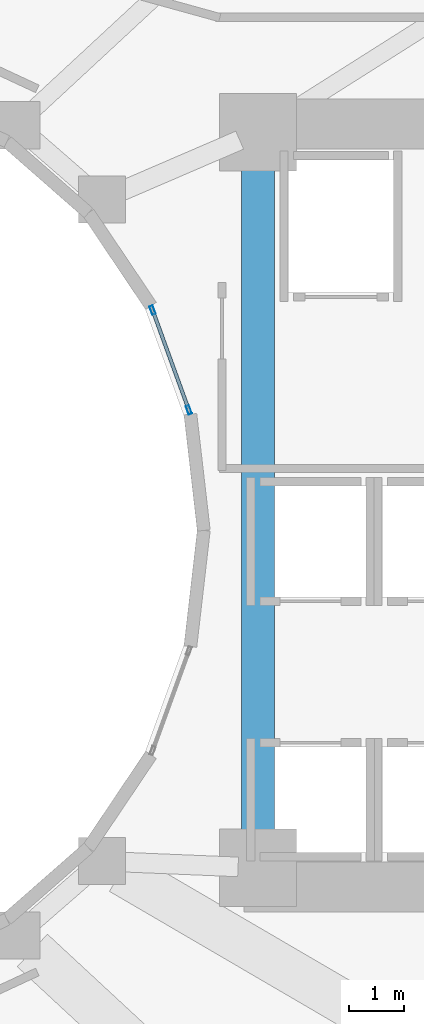
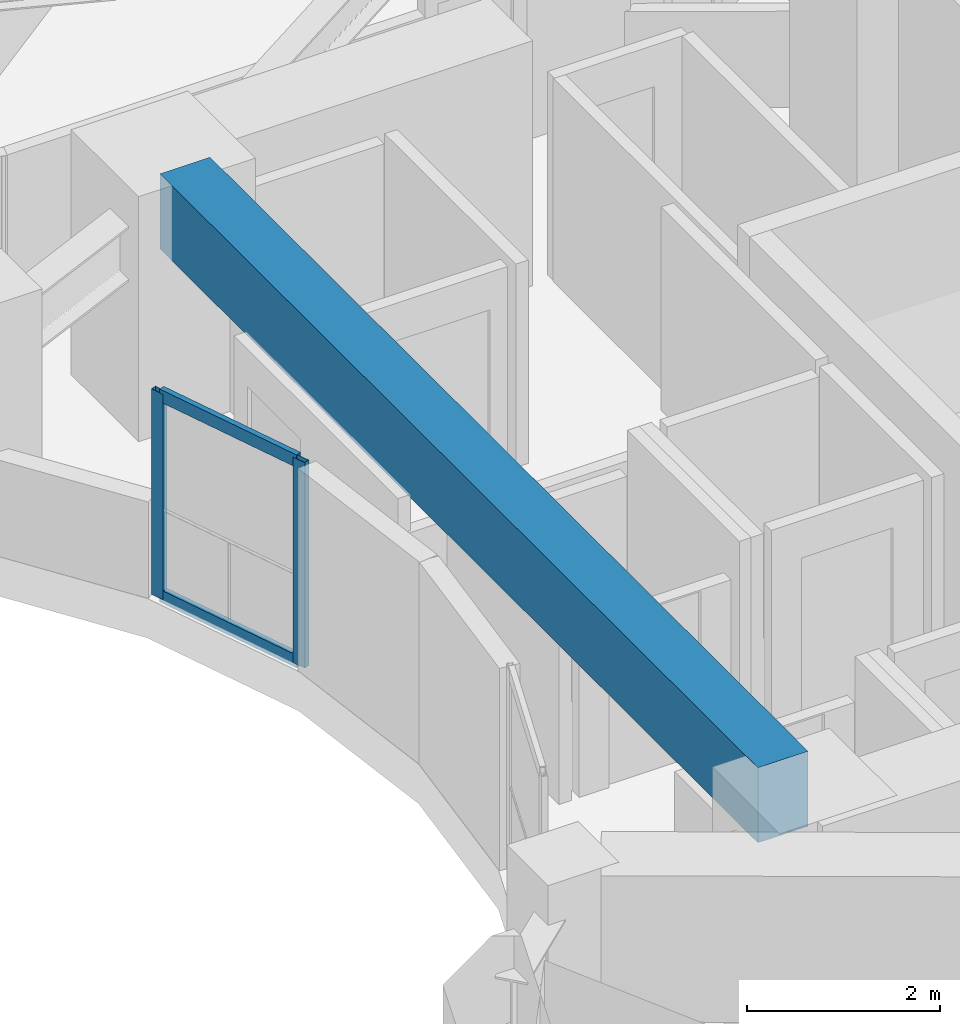
# One storey, part 6 of 19: 4 members, 1 beam, 1 element without a shape of its own.
"""IFC4 building model written with IfcOpenShell, lengths in metres."""

from ifc_helpers import new_model, si_unit, direction, frame, origin, origin_2d, place, context, subcontext, project, spatial, rectangle, hollow_rectangle, extrude, material, layer, layer_set, material_profile, profile_set, type_object, element, aggregate, save


model = new_model("IFC4")

# Units and contexts
model_context = context("Model", 3, precision=1e-05, world=origin(), true_north=direction((0.0, 1.0)))
body_context = subcontext(model_context, "Body", "Model", "MODEL_VIEW")
ifc_project = project(units=[si_unit("LENGTHUNIT", "METRE"), si_unit("AREAUNIT", "SQUARE_METRE"), si_unit("VOLUMEUNIT", "CUBIC_METRE"), si_unit("PLANEANGLEUNIT", "RADIAN"), si_unit("MASSUNIT", "GRAM", prefix="KILO")], contexts=[model_context])

# Site, building, storey
site_placement = place(None, origin())
site = spatial("IfcSite", under=ifc_project, at=site_placement, CompositionType="ELEMENT")
building_placement = place(site_placement, origin())
building = spatial("IfcBuilding", under=site, at=building_placement, Name="Solvane Sanctuary Tower", CompositionType="ELEMENT")
storey_placement = place(building_placement, frame((0.0, 0.0, 73.199951171875)))
storey = spatial("IfcBuildingStorey", under=building, at=storey_placement, Name="L21", CompositionType="ELEMENT", Elevation=73.199951171875)

# Beam
ifc_material_1 = material(Name="Concrete C70/85", Category="concrete")
ifc_material_profile_1 = material_profile(ifc_material_1, rectangle(XDim=0.60009765625, YDim=0.949951171875, at=origin_2d()), Name="RC600X950")
ifc_profile_set_1 = profile_set([ifc_material_profile_1], Name="Concrete C70/85")
beam_type = type_object("IfcBeamType", Name="Beam B-COUPLE RC600X950", PredefinedType="LINTEL", material=ifc_profile_set_1)
beam_placement = place(storey_placement, frame((40.10009765625, 17.35009765625, 2.625), z_axis=(0.0, 1.0, 0.0), x_axis=(-1.0, 0.0, 0.0)))
element("IfcBeam", 1, at=beam_placement, inside=storey, type_object=beam_type, Name="L21 East Core Coupling Lintel", PredefinedType="LINTEL", context=body_context, shape_type="SweptSolid", body=[
    extrude(rectangle(XDim=0.60009765625, YDim=0.949951171875, at=origin_2d()), origin(), (0.0, 0.0, 1.0), 12.39990234375),
])

# Curtain wall, members
ifc_material_2 = material(Name="Anodised Aluminium 6063-T6", Category="aluminium")
ifc_layer = layer(ifc_material_2, 0.199951171875, Name="Anodised Aluminium 6063-T6")
ifc_layer_set = layer_set([ifc_layer], Name="Anodised Aluminium 6063-T6")
curtain_wall_type = type_object("IfcCurtainWallType", Name="Curtain Wall CW-WELL", PredefinedType="NOTDEFINED", material=ifc_layer_set)
curtain_wall_placement = place(storey_placement, origin())
curtain_wall = element("IfcCurtainWall", 2, at=curtain_wall_placement, inside=storey, type_object=curtain_wall_type, Name="L21 Light-Well Glazed Curtain Wall 01", PredefinedType="NOTDEFINED")
ifc_material_profile_2 = material_profile(ifc_material_2, hollow_rectangle(XDim=0.06494140625, YDim=0.159912109375, WallThickness=0.00341796875, at=origin_2d()), Name="ALU160X65X3.5")
ifc_profile_set_2 = profile_set([ifc_material_profile_2], Name="Anodised Aluminium 6063-T6")
member_type_1 = type_object("IfcMemberType", Name="Member M-CW-MUL-2 ALU160X65X3.5", PredefinedType="MULLION", material=ifc_profile_set_2)
member_1_placement = place(storey_placement, frame((38.84912109375, 25.17919921875, 0.0), z_axis=(0.0, 0.0, 1.0), x_axis=(-0.939933181429, -0.341358483781, 0.0)))
member_1 = element("IfcMember", 3, at=member_1_placement, type_object=member_type_1, Name="CW-WELL mullion 1", PredefinedType="MULLION", context=body_context, shape_type="SweptSolid", body=[
    extrude(hollow_rectangle(XDim=0.06494140625, YDim=0.159912109375, WallThickness=0.00341796875, at=origin_2d()), origin(), (0.0, 0.0, 1.0), 2.60009765625),
])
member_2_placement = place(storey_placement, frame((38.1943359375, 26.982421875, 0.0), z_axis=(0.0, 0.0, 1.0), x_axis=(-0.939933181429, -0.341358483781, 0.0)))
member_2 = element("IfcMember", 4, at=member_2_placement, type_object=member_type_1, Name="CW-WELL mullion 2", PredefinedType="MULLION", context=body_context, shape_type="SweptSolid", body=[
    extrude(hollow_rectangle(XDim=0.06494140625, YDim=0.159912109375, WallThickness=0.00341796875, at=origin_2d()), origin(), (0.0, 0.0, 1.0), 2.60009765625),
])
ifc_material_profile_3 = material_profile(ifc_material_2, hollow_rectangle(XDim=0.06494140625, YDim=0.159912109375, WallThickness=0.00341796875, at=origin_2d()), Name="ALU160X65X3.5")
ifc_profile_set_3 = profile_set([ifc_material_profile_3], Name="Anodised Aluminium 6063-T6")
member_type_2 = type_object("IfcMemberType", Name="Member M-CW-TRN-1 ALU160X65X3.5", PredefinedType="USERDEFINED", material=ifc_profile_set_3)
member_3_placement = place(storey_placement, frame((38.838134765625, 25.209716796875, 0.032470703125), z_axis=(-0.341404620561, 0.939916424508, 0.0), x_axis=(-0.939916424508, -0.341404620561, 0.0)))
member_3 = element("IfcMember", 5, at=member_3_placement, type_object=member_type_2, Name="CW-WELL transom 1.1", ObjectType="TRANSOM", PredefinedType="USERDEFINED", context=body_context, shape_type="SweptSolid", body=[
    extrude(hollow_rectangle(XDim=0.06494140625, YDim=0.159912109375, WallThickness=0.00341796875, at=origin_2d()), origin(), (0.0, 0.0, 1.0), 1.853515625),
])
member_4_placement = place(storey_placement, frame((38.838134765625, 25.209716796875, 2.567626953125), z_axis=(-0.341404620561, 0.939916424508, 0.0), x_axis=(-0.939916424508, -0.341404620561, 0.0)))
member_4 = element("IfcMember", 6, at=member_4_placement, type_object=member_type_2, Name="CW-WELL transom 1.2", ObjectType="TRANSOM", PredefinedType="USERDEFINED", context=body_context, shape_type="SweptSolid", body=[
    extrude(hollow_rectangle(XDim=0.06494140625, YDim=0.159912109375, WallThickness=0.00341796875, at=origin_2d()), origin(), (0.0, 0.0, 1.0), 1.853515625),
])
aggregate(curtain_wall, [member_1, member_2, member_3, member_4])

save(model, "model.ifc")
